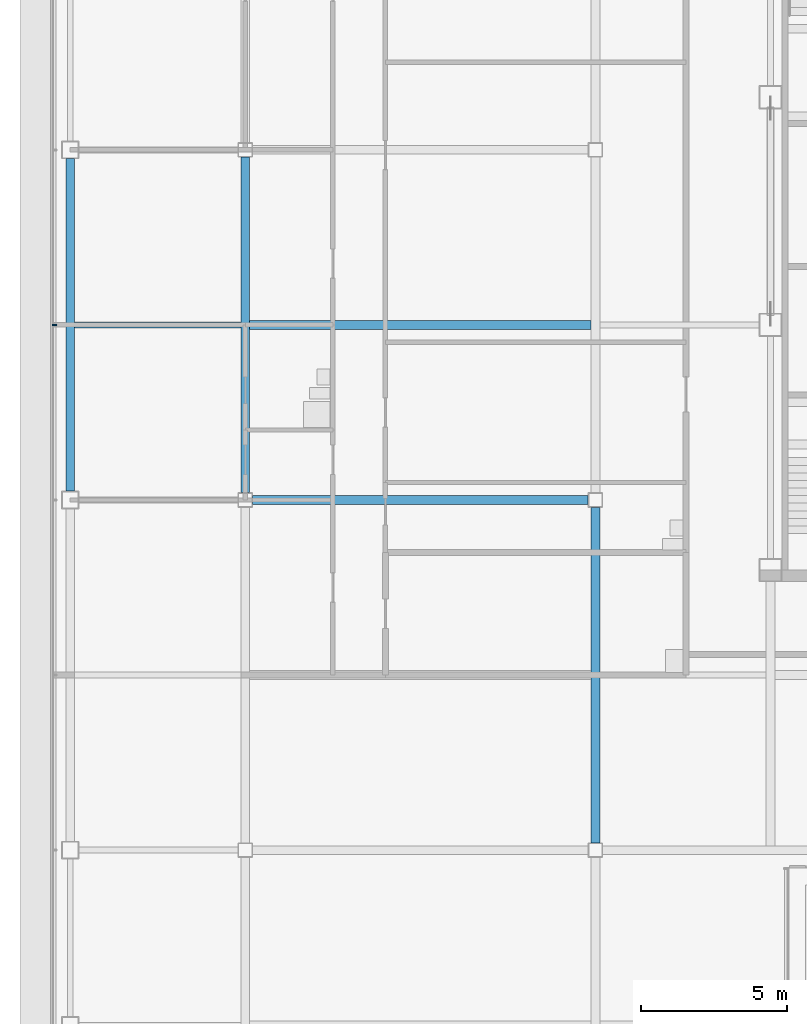
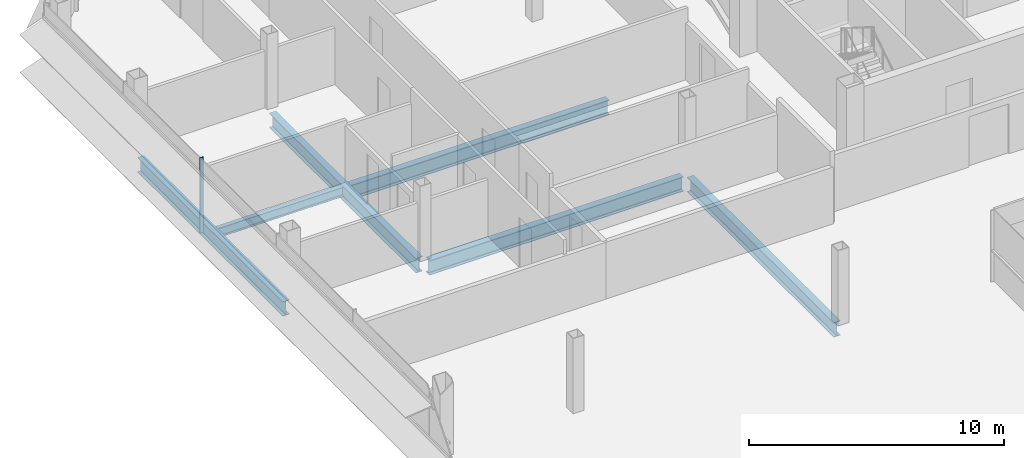
# One storey, part 7 of 27: 6 beams, 1 member, 1 element without a shape of its own.
"""IFC4 building model written with IfcOpenShell, lengths in metres."""

from ifc_helpers import new_model, si_unit, direction, frame, origin, origin_2d, place, context, subcontext, project, spatial, rectangle, i_section, extrude, material, material_profile, profile_set, type_object, element, aggregate, save


model = new_model("IFC4")

# Units and contexts
model_context = context("Model", 3, precision=1e-05, world=origin(), true_north=direction((0.0, 1.0)))
body_context = subcontext(model_context, "Body", "Model", "MODEL_VIEW")
ifc_project = project(units=[si_unit("LENGTHUNIT", "METRE"), si_unit("AREAUNIT", "SQUARE_METRE"), si_unit("VOLUMEUNIT", "CUBIC_METRE"), si_unit("PLANEANGLEUNIT", "RADIAN"), si_unit("MASSUNIT", "GRAM", prefix="KILO")], contexts=[model_context])

# Site, building, storey
site_placement = place(None, origin())
site = spatial("IfcSite", under=ifc_project, at=site_placement, CompositionType="ELEMENT")
building_placement = place(site_placement, origin())
building = spatial("IfcBuilding", under=site, at=building_placement, Name="Sorahane Residences", CompositionType="ELEMENT")
storey_placement = place(building_placement, frame((0.0, 0.0, 298.0)))
storey = spatial("IfcBuildingStorey", under=building, at=storey_placement, Name="L70", CompositionType="ELEMENT", Elevation=298.0)

# Curtain wall, member
ifc_material_1 = material(Name="Dark low-e glass and black anodised aluminium", Category="aluminium")
curtain_wall_type = type_object("IfcCurtainWallType", Name="Curtain wall CW-1 Typical unitised wall", PredefinedType="NOTDEFINED", material=ifc_material_1)
curtain_wall_placement = place(storey_placement, origin())
curtain_wall = element("IfcCurtainWall", 1, at=curtain_wall_placement, inside=storey, type_object=curtain_wall_type, Name="CW-1 curtain wall L70 W2", PredefinedType="NOTDEFINED")
ifc_material_2 = material(Name="Black anodised aluminium", Category="aluminium")
ifc_material_profile_1 = material_profile(ifc_material_2, rectangle(XDim=0.159912109375, YDim=0.050048828125, at=origin_2d()), Name="Curtain wall mullion CW-1 black anodised aluminium 50x160")
ifc_profile_set_1 = profile_set([ifc_material_profile_1], Name="Black anodised aluminium")
member_type = type_object("IfcMemberType", Name="Curtain wall mullion CW-1 black anodised aluminium 50x160", PredefinedType="MULLION", material=ifc_profile_set_1)
member_placement = place(storey_placement, frame((-18.5400390625, 30.0, -0.179931640625), z_axis=(0.0, 0.0, 1.0), x_axis=(-1.0, 0.0, 0.0)))
member = element("IfcMember", 2, at=member_placement, type_object=member_type, Name="CW-1 mullion L70 W2.3", PredefinedType="MULLION", context=body_context, shape_type="SweptSolid", body=[
    extrude(rectangle(XDim=0.159912109375, YDim=0.050048828125, at=origin_2d()), origin(), (0.0, 0.0, 1.0), 3.599853515625),
])
aggregate(curtain_wall, [member])

# Beams
ifc_material_3 = material(Name="Steel Q355B", Category="steel")
ifc_material_profile_2 = material_profile(ifc_material_3, i_section(OverallWidth=0.199951171875, OverallDepth=0.449951171875, WebThickness=0.009033203125, FlangeThickness=0.013916015625, FilletRadius=0.02001953125, at=origin_2d()), Name="HN 450x200x9x14")
ifc_profile_set_2 = profile_set([ifc_material_profile_2], Name="Steel Q355B")
beam_type_1 = type_object("IfcBeamType", Name="Steel floor beam HN 450x200x9x14 Q355B", PredefinedType="BEAM", material=ifc_profile_set_2)
beam_1_placement = place(storey_placement, frame((-17.85009765625, 30.0, -0.405029296875), z_axis=(1.0, 0.0, 0.0), x_axis=(0.0, 1.0, 0.0)))
element("IfcBeam", 3, at=beam_1_placement, inside=storey, type_object=beam_type_1, Name="Beam L70 079", PredefinedType="BEAM", context=body_context, shape_type="SweptSolid", body=[
    extrude(i_section(OverallWidth=0.199951171875, OverallDepth=0.449951171875, WebThickness=0.009033203125, FlangeThickness=0.013916015625, FilletRadius=0.02001953125, at=origin_2d()), origin(), (0.0, 0.0, 1.0), 5.7001953125),
])
ifc_material_4 = material(Name="Steel Q355B", Category="steel")
ifc_material_profile_3 = material_profile(ifc_material_4, i_section(OverallWidth=0.300048828125, OverallDepth=0.699951171875, WebThickness=0.012939453125, FlangeThickness=0.02392578125, FilletRadius=0.028076171875, at=origin_2d()), Name="HN 700x300x13x24")
ifc_profile_set_3 = profile_set([ifc_material_profile_3], Name="Steel Q355B")
beam_type_2 = type_object("IfcBeamType", Name="Steel floor beam HN 700x300x13x24 Q355B", PredefinedType="BEAM", material=ifc_profile_set_3)
beam_2_placement = place(storey_placement, frame((-11.75, 24.0, -0.530029296875), z_axis=(1.0, 0.0, 0.0), x_axis=(0.0, 1.0, 0.0)))
element("IfcBeam", 4, at=beam_2_placement, inside=storey, type_object=beam_type_2, Name="Beam L70 012", PredefinedType="BEAM", context=body_context, shape_type="SweptSolid", body=[
    extrude(i_section(OverallWidth=0.300048828125, OverallDepth=0.699951171875, WebThickness=0.012939453125, FlangeThickness=0.02392578125, FilletRadius=0.028076171875, at=origin_2d()), origin(), (0.0, 0.0, 1.0), 11.5),
])
beam_3_placement = place(storey_placement, frame((-18.0, 24.300048828125, -0.530029296875), z_axis=(0.0, 1.0, 0.0), x_axis=(-1.0, 0.0, 0.0)))
element("IfcBeam", 5, at=beam_3_placement, inside=storey, type_object=beam_type_2, Name="Beam L70 022", PredefinedType="BEAM", context=body_context, shape_type="SweptSolid", body=[
    extrude(i_section(OverallWidth=0.300048828125, OverallDepth=0.699951171875, WebThickness=0.012939453125, FlangeThickness=0.02392578125, FilletRadius=0.028076171875, at=origin_2d()), origin(), (0.0, 0.0, 1.0), 11.39990234375),
])
for number, where, z_axis, x_axis, name in (
    (6, (-12.0, 24.25, -0.530029296875), (0.0, 1.0, 0.0), (-1.0, 0.0, 0.0), "Beam L70 026"),
    (7, (0.0, 12.25, -0.530029296875), (0.0, 1.0, 0.0), (-1.0, 0.0, 0.0), "Beam L70 029"),
):
    element("IfcBeam", number, at=place(storey_placement, frame(where, z_axis=z_axis, x_axis=x_axis)), inside=storey, type_object=beam_type_2, Name=name, PredefinedType="BEAM", context=body_context, shape_type="SweptSolid", body=[
        extrude(i_section(OverallWidth=0.300048828125, OverallDepth=0.699951171875, WebThickness=0.012939453125, FlangeThickness=0.02392578125, FilletRadius=0.028076171875, at=origin_2d()), origin(), (0.0, 0.0, 1.0), 11.5),
    ])
beam_4_placement = place(storey_placement, frame((-11.85009765625, 30.0, -0.530029296875), z_axis=(1.0, 0.0, 0.0), x_axis=(0.0, 1.0, 0.0)))
element("IfcBeam", 8, at=beam_4_placement, inside=storey, type_object=beam_type_2, Name="Beam L70 080", PredefinedType="BEAM", context=body_context, shape_type="SweptSolid", body=[
    extrude(i_section(OverallWidth=0.300048828125, OverallDepth=0.699951171875, WebThickness=0.012939453125, FlangeThickness=0.02392578125, FilletRadius=0.028076171875, at=origin_2d()), origin(), (0.0, 0.0, 1.0), 11.7001953125),
])

save(model, "model.ifc")
